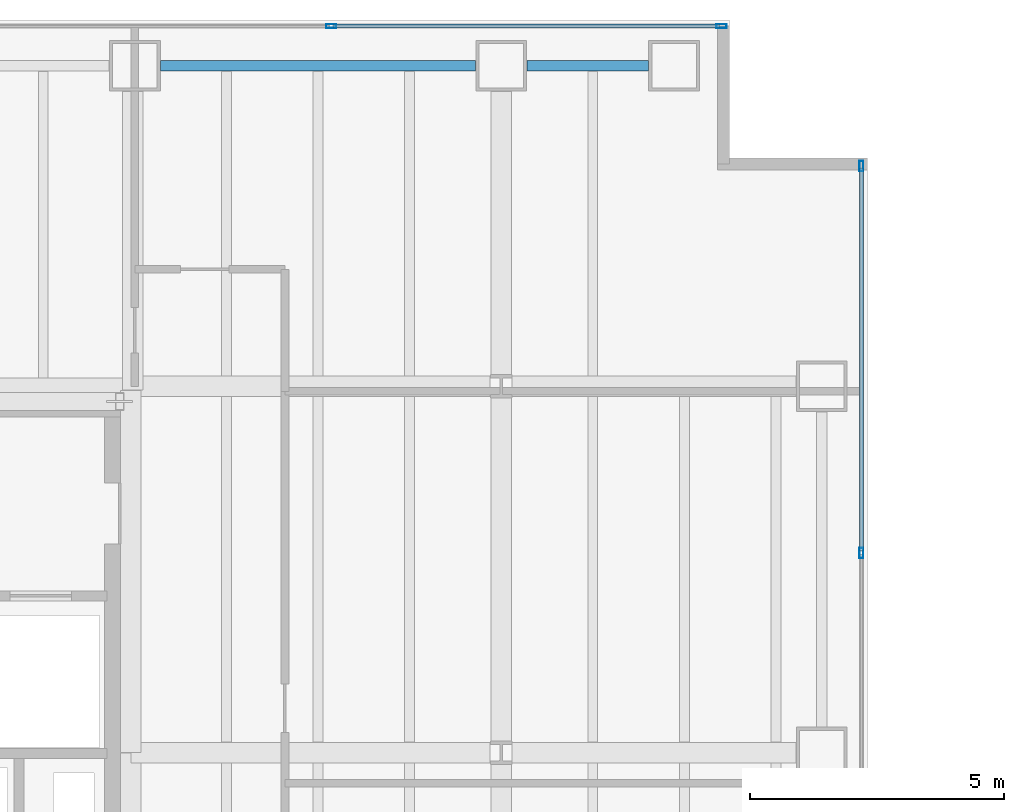
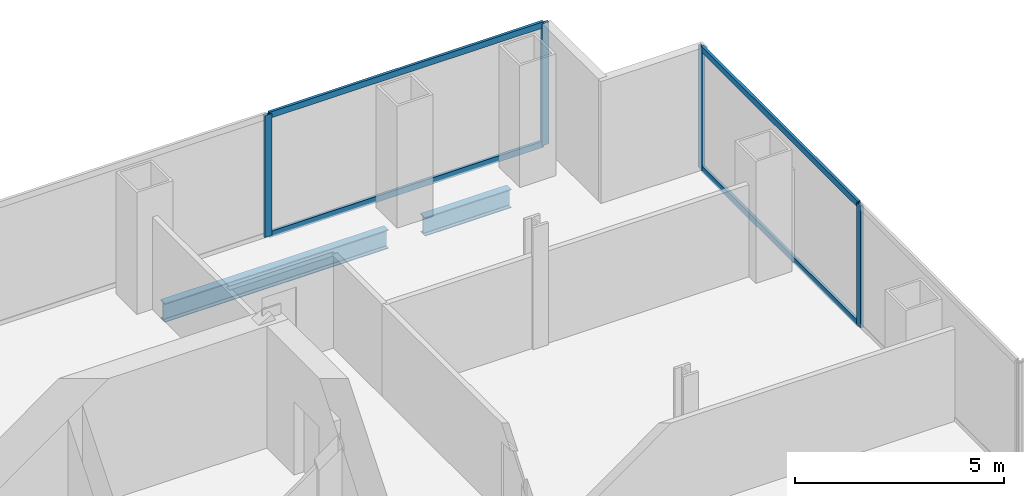
# One storey, part 18 of 25: 8 members, 2 beams, 2 elements without a shape of their own.
"""IFC4 building model written with IfcOpenShell, lengths in metres."""

from ifc_helpers import new_model, si_unit, direction, frame, origin, origin_2d, place, context, subcontext, project, spatial, hollow_rectangle, i_section, extrude, material, material_profile, profile_set, type_object, element, aggregate, save


model = new_model("IFC4")

# Units and contexts
model_context = context("Model", 3, precision=1e-05, world=origin(), true_north=direction((0.0, 1.0)))
body_context = subcontext(model_context, "Body", "Model", "MODEL_VIEW")
ifc_project = project(units=[si_unit("LENGTHUNIT", "METRE"), si_unit("AREAUNIT", "SQUARE_METRE"), si_unit("VOLUMEUNIT", "CUBIC_METRE"), si_unit("PLANEANGLEUNIT", "RADIAN"), si_unit("MASSUNIT", "GRAM", prefix="KILO")], contexts=[model_context])

# Site, building, storey
site_placement = place(None, origin())
site = spatial("IfcSite", under=ifc_project, at=site_placement, CompositionType="ELEMENT")
building_placement = place(site_placement, origin())
building = spatial("IfcBuilding", under=site, at=building_placement, Name="Cobrela Telecom Tower", CompositionType="ELEMENT")
storey_placement = place(building_placement, frame((0.0, 0.0, 61.949951171875)))
storey = spatial("IfcBuildingStorey", under=building, at=storey_placement, Name="L15", CompositionType="ELEMENT", Elevation=61.949951171875)

# Beams
ifc_material_1 = material(Name="Steel ASTM A992 Grade 50", Category="steel")
ifc_material_profile_1 = material_profile(ifc_material_1, i_section(OverallWidth=0.212890625, OverallDepth=0.549072265625, WebThickness=0.0146484375, FlangeThickness=0.023681640625, FilletRadius=0.013916015625, at=origin_2d()), Name="W21X93")
ifc_profile_set_1 = profile_set([ifc_material_profile_1], Name="Steel ASTM A992 Grade 50")
beam_type = type_object("IfcBeamType", Name="BM-SPAND-03", PredefinedType="SPANDREL", material=ifc_profile_set_1)
beam_1_placement = place(storey_placement, frame((14.905029296875, 42.300048828125, -0.554443359375), z_axis=(1.0, 0.0, 0.0), x_axis=(0.0, 1.0, 0.0)))
element("IfcBeam", 1, at=beam_1_placement, inside=storey, type_object=beam_type, Name="L15 Perimeter Spandrel X30", PredefinedType="SPANDREL", context=body_context, shape_type="SweptSolid", body=[
    extrude(i_section(OverallWidth=0.212890625, OverallDepth=0.549072265625, WebThickness=0.0146484375, FlangeThickness=0.023681640625, FilletRadius=0.013916015625, at=origin_2d()), origin(), (0.0, 0.0, 1.0), 6.18994140625),
])
beam_2_placement = place(storey_placement, frame((22.10498046875, 42.300048828125, -0.554443359375), z_axis=(1.0, 0.0, 0.0), x_axis=(0.0, 1.0, 0.0)))
element("IfcBeam", 2, at=beam_2_placement, inside=storey, type_object=beam_type, Name="L15 Perimeter Spandrel X31", PredefinedType="SPANDREL", context=body_context, shape_type="SweptSolid", body=[
    extrude(i_section(OverallWidth=0.212890625, OverallDepth=0.549072265625, WebThickness=0.0146484375, FlangeThickness=0.023681640625, FilletRadius=0.013916015625, at=origin_2d()), origin(), (0.0, 0.0, 1.0), 2.39013671875),
])

# Curtain wall, members
ifc_material_2 = material(Name="Anodized Bronze Aluminium 6063-T6", Category="aluminium")
curtain_wall_type = type_object("IfcCurtainWallType", Name="CW-SYS-DATA", PredefinedType="USERDEFINED", material=ifc_material_2)
curtain_wall_1_placement = place(storey_placement, origin())
curtain_wall_1 = element("IfcCurtainWall", 3, at=curtain_wall_1_placement, inside=storey, type_object=curtain_wall_type, Name="L15 Unitised Bronze Curtain Wall 07", ObjectType="UNITISED CURTAIN WALL", PredefinedType="USERDEFINED")
ifc_material_profile_2 = material_profile(ifc_material_2, hollow_rectangle(XDim=0.080078125, YDim=0.199951171875, WallThickness=0.00390625, at=origin_2d()), Name="ALU 80x200x4")
ifc_profile_set_2 = profile_set([ifc_material_profile_2], Name="Anodized Bronze Aluminium 6063-T6")
member_type_1 = type_object("IfcMemberType", Name="CW-SYS-DATA-MUL", PredefinedType="MULLION", material=ifc_profile_set_2)
member_1_placement = place(storey_placement, frame((18.256591796875, 43.080078125, 0.0), z_axis=(0.0, 0.0, 1.0), x_axis=(0.0, 1.0, 0.0)))
member_1 = element("IfcMember", 4, at=member_1_placement, type_object=member_type_1, Name="CW-DATA mullion 3", PredefinedType="MULLION", context=body_context, shape_type="SweptSolid", body=[
    extrude(hollow_rectangle(XDim=0.080078125, YDim=0.199951171875, WallThickness=0.00390625, at=origin_2d()), origin(), (0.0, 0.0, 1.0), 3.570068359375),
])
member_2_placement = place(storey_placement, frame((25.929931640625, 43.080078125, 0.0), z_axis=(0.0, 0.0, 1.0), x_axis=(0.0, 1.0, 0.0)))
member_2 = element("IfcMember", 5, at=member_2_placement, type_object=member_type_1, Name="CW-DATA mullion 4", PredefinedType="MULLION", context=body_context, shape_type="SweptSolid", body=[
    extrude(hollow_rectangle(XDim=0.080078125, YDim=0.199951171875, WallThickness=0.00390625, at=origin_2d()), origin(), (0.0, 0.0, 1.0), 3.570068359375),
])

curtain_wall_2_placement = place(storey_placement, origin())
curtain_wall_2 = element("IfcCurtainWall", 6, at=curtain_wall_2_placement, inside=storey, type_object=curtain_wall_type, Name="L15 Unitised Bronze Curtain Wall 10", ObjectType="UNITISED CURTAIN WALL", PredefinedType="USERDEFINED")
member_3_placement = place(storey_placement, frame((28.679931640625, 40.330078125, 0.0), z_axis=(0.0, 0.0, 1.0), x_axis=(1.0, 0.0, 0.0)))
member_3 = element("IfcMember", 7, at=member_3_placement, type_object=member_type_1, Name="CW-DATA mullion 1", PredefinedType="MULLION", context=body_context, shape_type="SweptSolid", body=[
    extrude(hollow_rectangle(XDim=0.080078125, YDim=0.199951171875, WallThickness=0.00390625, at=origin_2d()), origin(), (0.0, 0.0, 1.0), 3.570068359375),
])
member_4_placement = place(storey_placement, frame((28.679931640625, 32.72509765625, 0.0), z_axis=(0.0, 0.0, 1.0), x_axis=(1.0, 0.0, 0.0)))
member_4 = element("IfcMember", 8, at=member_4_placement, type_object=member_type_1, Name="CW-DATA mullion 2", PredefinedType="MULLION", context=body_context, shape_type="SweptSolid", body=[
    extrude(hollow_rectangle(XDim=0.080078125, YDim=0.199951171875, WallThickness=0.00390625, at=origin_2d()), origin(), (0.0, 0.0, 1.0), 3.570068359375),
])

# Member
ifc_material_profile_3 = material_profile(ifc_material_2, hollow_rectangle(XDim=0.074951171875, YDim=0.179931640625, WallThickness=0.00390625, at=origin_2d()), Name="ALU 75x180x4")
ifc_profile_set_3 = profile_set([ifc_material_profile_3], Name="Anodized Bronze Aluminium 6063-T6")
member_type_2 = type_object("IfcMemberType", Name="CW-SYS-DATA-TRN", PredefinedType="USERDEFINED", material=ifc_profile_set_3)
member_5_placement = place(storey_placement, frame((18.296630859375, 43.080078125, 0.03759765625), z_axis=(1.0, 0.0, 0.0), x_axis=(0.0, 1.0, 0.0)))
member_5 = element("IfcMember", 9, at=member_5_placement, type_object=member_type_2, Name="CW-DATA transom 3.1", ObjectType="TRANSOM", PredefinedType="USERDEFINED", context=body_context, shape_type="SweptSolid", body=[
    extrude(hollow_rectangle(XDim=0.074951171875, YDim=0.179931640625, WallThickness=0.00390625, at=origin_2d()), origin(), (0.0, 0.0, 1.0), 7.59326171875),
])

member_6_placement = place(storey_placement, frame((18.296630859375, 43.080078125, 3.532470703125), z_axis=(1.0, 0.0, 0.0), x_axis=(0.0, 1.0, 0.0)))
member_6 = element("IfcMember", 10, at=member_6_placement, type_object=member_type_2, Name="CW-DATA transom 3.2", ObjectType="TRANSOM", PredefinedType="USERDEFINED", context=body_context, shape_type="SweptSolid", body=[
    extrude(hollow_rectangle(XDim=0.074951171875, YDim=0.179931640625, WallThickness=0.00390625, at=origin_2d()), origin(), (0.0, 0.0, 1.0), 7.59326171875),
])

aggregate(curtain_wall_1, [member_1, member_2, member_5, member_6])

member_7_placement = place(storey_placement, frame((28.679931640625, 40.2900390625, 0.03759765625), z_axis=(0.0, -1.0, 0.0), x_axis=(1.0, 0.0, 0.0)))
member_7 = element("IfcMember", 11, at=member_7_placement, type_object=member_type_2, Name="CW-DATA transom 1.1", ObjectType="TRANSOM", PredefinedType="USERDEFINED", context=body_context, shape_type="SweptSolid", body=[
    extrude(hollow_rectangle(XDim=0.074951171875, YDim=0.179931640625, WallThickness=0.00390625, at=origin_2d()), origin(), (0.0, 0.0, 1.0), 7.525146484375),
])

member_8_placement = place(storey_placement, frame((28.679931640625, 40.2900390625, 3.532470703125), z_axis=(0.0, -1.0, 0.0), x_axis=(1.0, 0.0, 0.0)))
member_8 = element("IfcMember", 12, at=member_8_placement, type_object=member_type_2, Name="CW-DATA transom 1.2", ObjectType="TRANSOM", PredefinedType="USERDEFINED", context=body_context, shape_type="SweptSolid", body=[
    extrude(hollow_rectangle(XDim=0.074951171875, YDim=0.179931640625, WallThickness=0.00390625, at=origin_2d()), origin(), (0.0, 0.0, 1.0), 7.525146484375),
])

aggregate(curtain_wall_2, [member_3, member_4, member_7, member_8])

save(model, "model.ifc")
